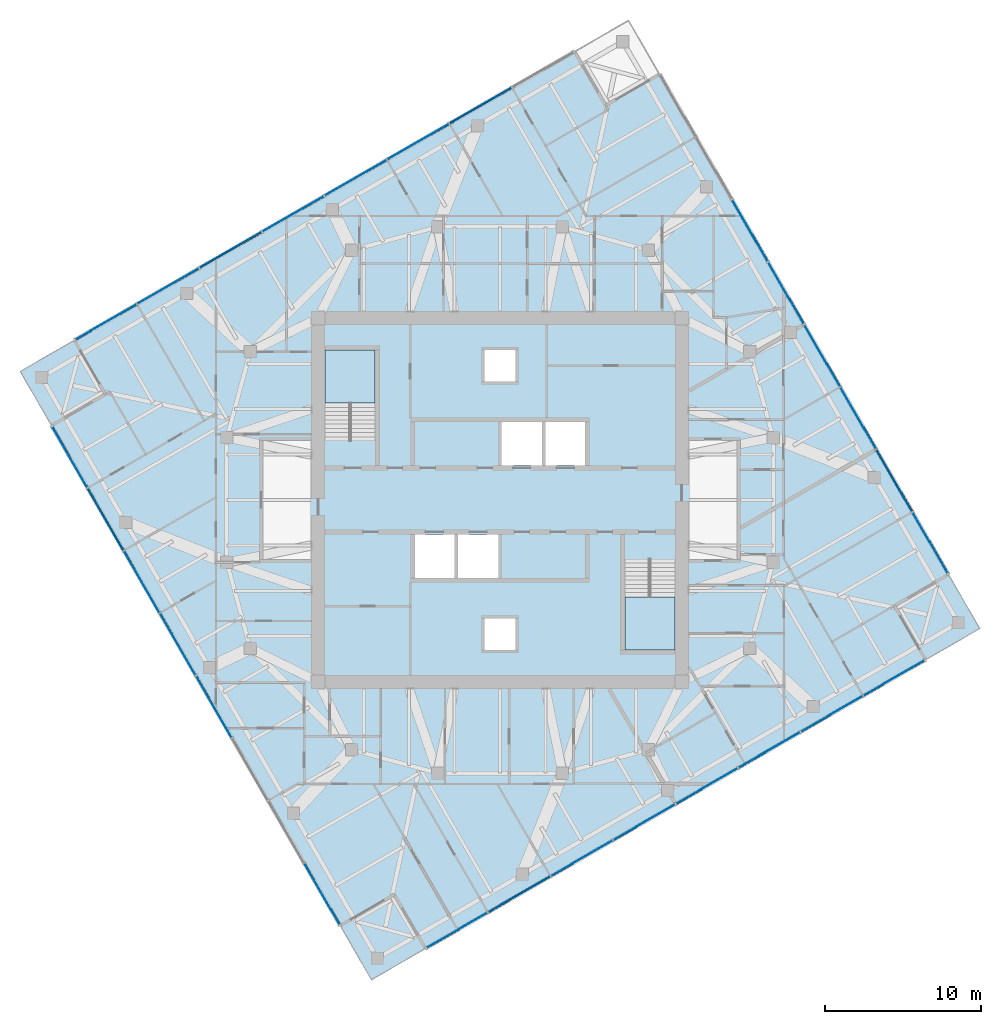
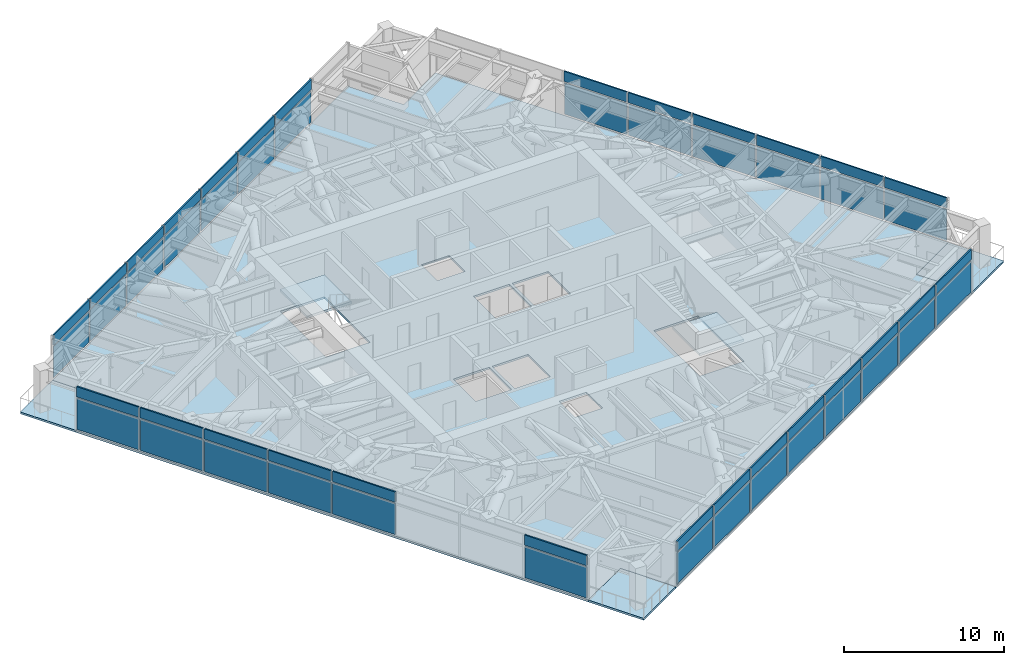
# One storey, part 8 of 16: 54 plates, 6 slabs, 6 elements without a shape of their own.
"""IFC4 building model written with IfcOpenShell, lengths in metres."""

from ifc_helpers import new_model, si_unit, direction, frame, origin, origin_2d, place, context, subcontext, project, spatial, polyline, rectangle, outline, extrude, material, layer, layer_set, type_object, element, aggregate, save


model = new_model("IFC4")

# Units and contexts
model_context = context("Model", 3, precision=1e-05, world=origin(), true_north=direction((0.0, 1.0)))
body_context = subcontext(model_context, "Body", "Model", "MODEL_VIEW")
ifc_project = project(units=[si_unit("LENGTHUNIT", "METRE"), si_unit("AREAUNIT", "SQUARE_METRE"), si_unit("VOLUMEUNIT", "CUBIC_METRE"), si_unit("PLANEANGLEUNIT", "RADIAN"), si_unit("MASSUNIT", "GRAM", prefix="KILO")], contexts=[model_context])

# Site, building, storey
site_placement = place(None, origin())
site = spatial("IfcSite", under=ifc_project, at=site_placement, CompositionType="ELEMENT")
building_placement = place(site_placement, origin())
building = spatial("IfcBuilding", under=site, at=building_placement, Name="Torsade Residences", CompositionType="ELEMENT")
storey_placement = place(building_placement, frame((0.0, 0.0, 232.0)))
storey = spatial("IfcBuildingStorey", under=building, at=storey_placement, Name="L64", CompositionType="ELEMENT", Elevation=232.0)

# Slab
ifc_material_1 = material(Name="Concrete 40 MPa", Category="concrete")
ifc_layer_1 = layer(ifc_material_1, 0.14990234375)
ifc_layer_set_1 = layer_set([ifc_layer_1], Name="Concrete 40 MPa")
slab_type_1 = type_object("IfcSlabType", Name="COMPOSITE FLOOR SLAB 150", PredefinedType="FLOOR", material=ifc_layer_set_1)
slab_1_placement = place(storey_placement, frame((0.0, 0.0, -0.14990234375)))
element("IfcSlab", 1, at=slab_1_placement, inside=storey, type_object=slab_type_1, Name="Floor slab L64", PredefinedType="FLOOR", context=body_context, shape_type="SweptSolid", body=[
    extrude(outline(polyline([(35.228515625, 1.264404296875), (67.271484375, 19.764404296875), (65.271484375, 23.228515625), (68.735595703125, 25.228515625), (50.235595703125, 57.271484375), (46.771484375, 55.271484375), (44.771484375, 58.735595703125), (12.728515625, 40.235595703125), (14.728515625, 36.771484375), (11.264404296875, 34.771484375), (29.764404296875, 2.728515625), (33.228515625, 4.728515625), (35.228515625, 1.264404296875)]), holes=[polyline([(51.199951171875, 26.1201171875), (48.0, 26.1201171875), (48.0, 20.39990234375), (51.199951171875, 20.39990234375), (51.199951171875, 26.1201171875)]), polyline([(45.5, 35.0), (42.89990234375, 35.0), (42.89990234375, 32.199951171875), (45.5, 32.199951171875), (45.5, 35.0)]), polyline([(42.699951171875, 35.0), (40.10009765625, 35.0), (40.10009765625, 32.199951171875), (42.699951171875, 32.199951171875), (42.699951171875, 35.0)]), polyline([(41.0, 22.39990234375), (39.0, 22.39990234375), (39.0, 20.39990234375), (41.0, 20.39990234375), (41.0, 22.39990234375)]), polyline([(41.0, 39.60009765625), (39.0, 39.60009765625), (39.0, 37.60009765625), (41.0, 37.60009765625), (41.0, 39.60009765625)]), polyline([(39.89990234375, 27.800048828125), (37.300048828125, 27.800048828125), (37.300048828125, 25.0), (39.89990234375, 25.0), (39.89990234375, 27.800048828125)]), polyline([(37.10009765625, 27.800048828125), (34.5, 27.800048828125), (34.5, 25.0), (37.10009765625, 25.0), (37.10009765625, 27.800048828125)]), polyline([(32.0, 39.60009765625), (28.800048828125, 39.60009765625), (28.800048828125, 33.8798828125), (32.0, 33.8798828125), (32.0, 39.60009765625)])]), origin(), (0.0, 0.0, 1.0), 0.14990234375),
])

# Curtain wall, plates
ifc_material_2 = material(Name="Aluminium and glass", Category="aluminium")
curtain_wall_type = type_object("IfcCurtainWallType", Name="FRITTED GLASS CURTAIN WALL HIGH ZONE", PredefinedType="NOTDEFINED", material=ifc_material_2)
curtain_wall_1_placement = place(storey_placement, origin())
curtain_wall_1 = element("IfcCurtainWall", 2, at=curtain_wall_1_placement, inside=storey, type_object=curtain_wall_type, Name="Curtain wall L64 face 1", PredefinedType="NOTDEFINED")
ifc_material_3 = material(Name="Laminated glass", Category="glass")
ifc_layer_2 = layer(ifc_material_3, 0.031982421875)
ifc_layer_set_2 = layer_set([ifc_layer_2], Name="Laminated glass")
plate_type_1 = type_object("IfcPlateType", Name="FRITTED GLASS PANEL", PredefinedType="CURTAIN_PANEL", material=ifc_layer_set_2)
plate_1_placement = place(storey_placement, frame((37.2529296875, 2.43310546875, 0.1201171875), z_axis=(0.0, 0.0, 1.0), x_axis=(0.866025404186, 0.499999999305, 0.0)))
plate_1 = element("IfcPlate", 3, at=plate_1_placement, type_object=plate_type_1, Name="Panel 1", PredefinedType="CURTAIN_PANEL", context=body_context, shape_type="SweptSolid", body=[
    extrude(rectangle(XDim=4.47509765625, YDim=0.031982421875, at=origin_2d()), origin(), (0.0, 0.0, 1.0), 2.3798828125),
])
plate_2_placement = place(storey_placement, frame((45.241943359375, 7.045654296875, 0.1201171875), z_axis=(0.0, 0.0, 1.0), x_axis=(0.866025404186, 0.499999999305, 0.0)))
plate_2 = element("IfcPlate", 4, at=plate_2_placement, type_object=plate_type_1, Name="Panel 3", PredefinedType="CURTAIN_PANEL", context=body_context, shape_type="SweptSolid", body=[
    extrude(rectangle(XDim=4.52490234375, YDim=0.031982421875, at=origin_2d()), origin(), (0.0, 0.0, 1.0), 2.3798828125),
])
plate_3_placement = place(storey_placement, frame((49.247314453125, 9.358154296875, 0.1201171875), z_axis=(0.0, 0.0, 1.0), x_axis=(0.866025404186, 0.499999999305, 0.0)))
plate_3 = element("IfcPlate", 5, at=plate_3_placement, type_object=plate_type_1, Name="Panel 4", PredefinedType="CURTAIN_PANEL", context=body_context, shape_type="SweptSolid", body=[
    extrude(rectangle(XDim=4.52490234375, YDim=0.031982421875, at=origin_2d()), origin(), (0.0, 0.0, 1.0), 2.3798828125),
])
plate_4_placement = place(storey_placement, frame((53.252685546875, 11.670654296875, 0.1201171875), z_axis=(0.0, 0.0, 1.0), x_axis=(0.866025404186, 0.499999999305, 0.0)))
plate_4 = element("IfcPlate", 6, at=plate_4_placement, type_object=plate_type_1, Name="Panel 5", PredefinedType="CURTAIN_PANEL", context=body_context, shape_type="SweptSolid", body=[
    extrude(rectangle(XDim=4.52490234375, YDim=0.031982421875, at=origin_2d()), origin(), (0.0, 0.0, 1.0), 2.3798828125),
])
plate_5_placement = place(storey_placement, frame((61.263427734375, 16.295654296875, 0.1201171875), z_axis=(0.0, 0.0, 1.0), x_axis=(0.866025404186, 0.499999999305, 0.0)))
plate_5 = element("IfcPlate", 7, at=plate_5_placement, type_object=plate_type_1, Name="Panel 7", PredefinedType="CURTAIN_PANEL", context=body_context, shape_type="SweptSolid", body=[
    extrude(rectangle(XDim=4.52490234375, YDim=0.031982421875, at=origin_2d()), origin(), (0.0, 0.0, 1.0), 2.3798828125),
])
plate_6_placement = place(storey_placement, frame((65.2470703125, 18.595703125, 0.1201171875), z_axis=(0.0, 0.0, 1.0), x_axis=(0.866025404186, 0.499999999305, 0.0)))
plate_6 = element("IfcPlate", 8, at=plate_6_placement, type_object=plate_type_1, Name="Panel 8", PredefinedType="CURTAIN_PANEL", context=body_context, shape_type="SweptSolid", body=[
    extrude(rectangle(XDim=4.47509765625, YDim=0.031982421875, at=origin_2d()), origin(), (0.0, 0.0, 1.0), 2.3798828125),
])

curtain_wall_2_placement = place(storey_placement, origin())
curtain_wall_2 = element("IfcCurtainWall", 9, at=curtain_wall_2_placement, inside=storey, type_object=curtain_wall_type, Name="Curtain wall L64 face 4", PredefinedType="NOTDEFINED")
plate_7_placement = place(storey_placement, frame((67.56689453125, 27.2529296875, 0.1201171875), z_axis=(0.0, 0.0, 1.0), x_axis=(-0.499999999305, 0.866025404186, 0.0)))
plate_7 = element("IfcPlate", 10, at=plate_7_placement, type_object=plate_type_1, Name="Panel 1", PredefinedType="CURTAIN_PANEL", context=body_context, shape_type="SweptSolid", body=[
    extrude(rectangle(XDim=4.47509765625, YDim=0.031982421875, at=origin_2d()), origin(), (0.0, 0.0, 1.0), 2.3798828125),
])
plate_8_placement = place(storey_placement, frame((62.954345703125, 35.241943359375, 0.1201171875), z_axis=(0.0, 0.0, 1.0), x_axis=(-0.499999999305, 0.866025404186, 0.0)))
plate_8 = element("IfcPlate", 11, at=plate_8_placement, type_object=plate_type_1, Name="Panel 3", PredefinedType="CURTAIN_PANEL", context=body_context, shape_type="SweptSolid", body=[
    extrude(rectangle(XDim=4.52490234375, YDim=0.031982421875, at=origin_2d()), origin(), (0.0, 0.0, 1.0), 2.3798828125),
])
plate_9_placement = place(storey_placement, frame((60.641845703125, 39.247314453125, 0.1201171875), z_axis=(0.0, 0.0, 1.0), x_axis=(-0.499999999305, 0.866025404186, 0.0)))
plate_9 = element("IfcPlate", 12, at=plate_9_placement, type_object=plate_type_1, Name="Panel 4", PredefinedType="CURTAIN_PANEL", context=body_context, shape_type="SweptSolid", body=[
    extrude(rectangle(XDim=4.52490234375, YDim=0.031982421875, at=origin_2d()), origin(), (0.0, 0.0, 1.0), 2.3798828125),
])
plate_10_placement = place(storey_placement, frame((58.329345703125, 43.252685546875, 0.1201171875), z_axis=(0.0, 0.0, 1.0), x_axis=(-0.499999999305, 0.866025404186, 0.0)))
plate_10 = element("IfcPlate", 13, at=plate_10_placement, type_object=plate_type_1, Name="Panel 5", PredefinedType="CURTAIN_PANEL", context=body_context, shape_type="SweptSolid", body=[
    extrude(rectangle(XDim=4.52490234375, YDim=0.031982421875, at=origin_2d()), origin(), (0.0, 0.0, 1.0), 2.3798828125),
])

curtain_wall_3_placement = place(storey_placement, origin())
curtain_wall_3 = element("IfcCurtainWall", 14, at=curtain_wall_3_placement, inside=storey, type_object=curtain_wall_type, Name="Curtain wall L64 face 7", PredefinedType="NOTDEFINED")
plate_11_placement = place(storey_placement, frame((34.758056640625, 52.954345703125, 0.1201171875), z_axis=(0.0, 0.0, 1.0), x_axis=(-0.866025404186, -0.499999999305, 0.0)))
plate_11 = element("IfcPlate", 15, at=plate_11_placement, type_object=plate_type_1, Name="Panel 3", PredefinedType="CURTAIN_PANEL", context=body_context, shape_type="SweptSolid", body=[
    extrude(rectangle(XDim=4.52490234375, YDim=0.031982421875, at=origin_2d()), origin(), (0.0, 0.0, 1.0), 2.3798828125),
])
plate_12_placement = place(storey_placement, frame((30.752685546875, 50.641845703125, 0.1201171875), z_axis=(0.0, 0.0, 1.0), x_axis=(-0.866025404186, -0.499999999305, 0.0)))
plate_12 = element("IfcPlate", 16, at=plate_12_placement, type_object=plate_type_1, Name="Panel 4", PredefinedType="CURTAIN_PANEL", context=body_context, shape_type="SweptSolid", body=[
    extrude(rectangle(XDim=4.52490234375, YDim=0.031982421875, at=origin_2d()), origin(), (0.0, 0.0, 1.0), 2.3798828125),
])
plate_13_placement = place(storey_placement, frame((26.747314453125, 48.329345703125, 0.1201171875), z_axis=(0.0, 0.0, 1.0), x_axis=(-0.866025404186, -0.499999999305, 0.0)))
plate_13 = element("IfcPlate", 17, at=plate_13_placement, type_object=plate_type_1, Name="Panel 5", PredefinedType="CURTAIN_PANEL", context=body_context, shape_type="SweptSolid", body=[
    extrude(rectangle(XDim=4.52490234375, YDim=0.031982421875, at=origin_2d()), origin(), (0.0, 0.0, 1.0), 2.3798828125),
])
plate_14_placement = place(storey_placement, frame((18.736572265625, 43.704345703125, 0.1201171875), z_axis=(0.0, 0.0, 1.0), x_axis=(-0.866025404186, -0.499999999305, 0.0)))
plate_14 = element("IfcPlate", 18, at=plate_14_placement, type_object=plate_type_1, Name="Panel 7", PredefinedType="CURTAIN_PANEL", context=body_context, shape_type="SweptSolid", body=[
    extrude(rectangle(XDim=4.52490234375, YDim=0.031982421875, at=origin_2d()), origin(), (0.0, 0.0, 1.0), 2.3798828125),
])
plate_15_placement = place(storey_placement, frame((14.7529296875, 41.404296875, 0.1201171875), z_axis=(0.0, 0.0, 1.0), x_axis=(-0.866025404186, -0.499999999305, 0.0)))
plate_15 = element("IfcPlate", 19, at=plate_15_placement, type_object=plate_type_1, Name="Panel 8", PredefinedType="CURTAIN_PANEL", context=body_context, shape_type="SweptSolid", body=[
    extrude(rectangle(XDim=4.47509765625, YDim=0.031982421875, at=origin_2d()), origin(), (0.0, 0.0, 1.0), 2.3798828125),
])

curtain_wall_4_placement = place(storey_placement, origin())
curtain_wall_4 = element("IfcCurtainWall", 20, at=curtain_wall_4_placement, inside=storey, type_object=curtain_wall_type, Name="Curtain wall L64 face 10", PredefinedType="NOTDEFINED")
plate_16_placement = place(storey_placement, frame((12.43310546875, 32.7470703125, 0.1201171875), z_axis=(0.0, 0.0, 1.0), x_axis=(0.499999999305, -0.866025404186, 0.0)))
plate_16 = element("IfcPlate", 21, at=plate_16_placement, type_object=plate_type_1, Name="Panel 1", PredefinedType="CURTAIN_PANEL", context=body_context, shape_type="SweptSolid", body=[
    extrude(rectangle(XDim=4.47509765625, YDim=0.031982421875, at=origin_2d()), origin(), (0.0, 0.0, 1.0), 2.3798828125),
])
plate_17_placement = place(storey_placement, frame((17.045654296875, 24.758056640625, 0.1201171875), z_axis=(0.0, 0.0, 1.0), x_axis=(0.499999999305, -0.866025404186, 0.0)))
plate_17 = element("IfcPlate", 22, at=plate_17_placement, type_object=plate_type_1, Name="Panel 3", PredefinedType="CURTAIN_PANEL", context=body_context, shape_type="SweptSolid", body=[
    extrude(rectangle(XDim=4.52490234375, YDim=0.031982421875, at=origin_2d()), origin(), (0.0, 0.0, 1.0), 2.3798828125),
])
plate_18_placement = place(storey_placement, frame((19.358154296875, 20.752685546875, 0.1201171875), z_axis=(0.0, 0.0, 1.0), x_axis=(0.499999999305, -0.866025404186, 0.0)))
plate_18 = element("IfcPlate", 23, at=plate_18_placement, type_object=plate_type_1, Name="Panel 4", PredefinedType="CURTAIN_PANEL", context=body_context, shape_type="SweptSolid", body=[
    extrude(rectangle(XDim=4.52490234375, YDim=0.031982421875, at=origin_2d()), origin(), (0.0, 0.0, 1.0), 2.3798828125),
])
plate_19_placement = place(storey_placement, frame((21.670654296875, 16.747314453125, 0.1201171875), z_axis=(0.0, 0.0, 1.0), x_axis=(0.499999999305, -0.866025404186, 0.0)))
plate_19 = element("IfcPlate", 24, at=plate_19_placement, type_object=plate_type_1, Name="Panel 5", PredefinedType="CURTAIN_PANEL", context=body_context, shape_type="SweptSolid", body=[
    extrude(rectangle(XDim=4.52490234375, YDim=0.031982421875, at=origin_2d()), origin(), (0.0, 0.0, 1.0), 2.3798828125),
])
plate_20_placement = place(storey_placement, frame((28.595703125, 4.7529296875, 0.1201171875), z_axis=(0.0, 0.0, 1.0), x_axis=(0.499999999305, -0.866025404186, 0.0)))
plate_20 = element("IfcPlate", 25, at=plate_20_placement, type_object=plate_type_1, Name="Panel 8", PredefinedType="CURTAIN_PANEL", context=body_context, shape_type="SweptSolid", body=[
    extrude(rectangle(XDim=4.47509765625, YDim=0.031982421875, at=origin_2d()), origin(), (0.0, 0.0, 1.0), 2.3798828125),
])

# Plate
ifc_material_4 = material(Name="Aluminium composite spandrel panel", Category="aluminium")
ifc_layer_3 = layer(ifc_material_4, 0.10009765625)
ifc_layer_set_3 = layer_set([ifc_layer_3], Name="Aluminium composite spandrel panel")
plate_type_2 = type_object("IfcPlateType", Name="OPAQUE SPANDREL PANEL", PredefinedType="CURTAIN_PANEL", material=ifc_layer_set_3)
plate_21_placement = place(storey_placement, frame((37.2529296875, 2.43310546875, 2.6201171875), z_axis=(0.0, 0.0, 1.0), x_axis=(0.866025404186, 0.499999999305, 0.0)))
plate_21 = element("IfcPlate", 26, at=plate_21_placement, type_object=plate_type_2, Name="Spandrel panel 1", PredefinedType="CURTAIN_PANEL", context=body_context, shape_type="SweptSolid", body=[
    extrude(rectangle(XDim=4.47509765625, YDim=0.10009765625, at=origin_2d()), origin(), (0.0, 0.0, 1.0), 0.780029296875),
])

plate_22_placement = place(storey_placement, frame((41.236572265625, 4.733154296875, 2.6201171875), z_axis=(0.0, 0.0, 1.0), x_axis=(0.866025404186, 0.499999999305, 0.0)))
plate_22 = element("IfcPlate", 27, at=plate_22_placement, type_object=plate_type_2, Name="Spandrel panel 2", PredefinedType="CURTAIN_PANEL", context=body_context, shape_type="SweptSolid", body=[
    extrude(rectangle(XDim=4.52490234375, YDim=0.10009765625, at=origin_2d()), origin(), (0.0, 0.0, 1.0), 0.780029296875),
])

plate_23_placement = place(storey_placement, frame((45.241943359375, 7.045654296875, 2.6201171875), z_axis=(0.0, 0.0, 1.0), x_axis=(0.866025404186, 0.499999999305, 0.0)))
plate_23 = element("IfcPlate", 28, at=plate_23_placement, type_object=plate_type_2, Name="Spandrel panel 3", PredefinedType="CURTAIN_PANEL", context=body_context, shape_type="SweptSolid", body=[
    extrude(rectangle(XDim=4.52490234375, YDim=0.10009765625, at=origin_2d()), origin(), (0.0, 0.0, 1.0), 0.780029296875),
])

plate_24_placement = place(storey_placement, frame((49.247314453125, 9.358154296875, 2.6201171875), z_axis=(0.0, 0.0, 1.0), x_axis=(0.866025404186, 0.499999999305, 0.0)))
plate_24 = element("IfcPlate", 29, at=plate_24_placement, type_object=plate_type_2, Name="Spandrel panel 4", PredefinedType="CURTAIN_PANEL", context=body_context, shape_type="SweptSolid", body=[
    extrude(rectangle(XDim=4.52490234375, YDim=0.10009765625, at=origin_2d()), origin(), (0.0, 0.0, 1.0), 0.780029296875),
])

plate_25_placement = place(storey_placement, frame((53.252685546875, 11.670654296875, 2.6201171875), z_axis=(0.0, 0.0, 1.0), x_axis=(0.866025404186, 0.499999999305, 0.0)))
plate_25 = element("IfcPlate", 30, at=plate_25_placement, type_object=plate_type_2, Name="Spandrel panel 5", PredefinedType="CURTAIN_PANEL", context=body_context, shape_type="SweptSolid", body=[
    extrude(rectangle(XDim=4.52490234375, YDim=0.10009765625, at=origin_2d()), origin(), (0.0, 0.0, 1.0), 0.780029296875),
])

plate_26_placement = place(storey_placement, frame((57.258056640625, 13.983154296875, 2.6201171875), z_axis=(0.0, 0.0, 1.0), x_axis=(0.866025404186, 0.499999999305, 0.0)))
plate_26 = element("IfcPlate", 31, at=plate_26_placement, type_object=plate_type_2, Name="Spandrel panel 6", PredefinedType="CURTAIN_PANEL", context=body_context, shape_type="SweptSolid", body=[
    extrude(rectangle(XDim=4.52490234375, YDim=0.10009765625, at=origin_2d()), origin(), (0.0, 0.0, 1.0), 0.780029296875),
])

plate_27_placement = place(storey_placement, frame((61.263427734375, 16.295654296875, 2.6201171875), z_axis=(0.0, 0.0, 1.0), x_axis=(0.866025404186, 0.499999999305, 0.0)))
plate_27 = element("IfcPlate", 32, at=plate_27_placement, type_object=plate_type_2, Name="Spandrel panel 7", PredefinedType="CURTAIN_PANEL", context=body_context, shape_type="SweptSolid", body=[
    extrude(rectangle(XDim=4.52490234375, YDim=0.10009765625, at=origin_2d()), origin(), (0.0, 0.0, 1.0), 0.780029296875),
])

plate_28_placement = place(storey_placement, frame((65.2470703125, 18.595703125, 2.6201171875), z_axis=(0.0, 0.0, 1.0), x_axis=(0.866025404186, 0.499999999305, 0.0)))
plate_28 = element("IfcPlate", 33, at=plate_28_placement, type_object=plate_type_2, Name="Spandrel panel 8", PredefinedType="CURTAIN_PANEL", context=body_context, shape_type="SweptSolid", body=[
    extrude(rectangle(XDim=4.47509765625, YDim=0.10009765625, at=origin_2d()), origin(), (0.0, 0.0, 1.0), 0.780029296875),
])

plate_29_placement = place(storey_placement, frame((67.56689453125, 27.2529296875, 2.6201171875), z_axis=(0.0, 0.0, 1.0), x_axis=(-0.499999999305, 0.866025404186, 0.0)))
plate_29 = element("IfcPlate", 34, at=plate_29_placement, type_object=plate_type_2, Name="Spandrel panel 1", PredefinedType="CURTAIN_PANEL", context=body_context, shape_type="SweptSolid", body=[
    extrude(rectangle(XDim=4.47509765625, YDim=0.10009765625, at=origin_2d()), origin(), (0.0, 0.0, 1.0), 0.780029296875),
])

plate_30_placement = place(storey_placement, frame((65.266845703125, 31.236572265625, 2.6201171875), z_axis=(0.0, 0.0, 1.0), x_axis=(-0.499999999305, 0.866025404186, 0.0)))
plate_30 = element("IfcPlate", 35, at=plate_30_placement, type_object=plate_type_2, Name="Spandrel panel 2", PredefinedType="CURTAIN_PANEL", context=body_context, shape_type="SweptSolid", body=[
    extrude(rectangle(XDim=4.52490234375, YDim=0.10009765625, at=origin_2d()), origin(), (0.0, 0.0, 1.0), 0.780029296875),
])

plate_31_placement = place(storey_placement, frame((62.954345703125, 35.241943359375, 2.6201171875), z_axis=(0.0, 0.0, 1.0), x_axis=(-0.499999999305, 0.866025404186, 0.0)))
plate_31 = element("IfcPlate", 36, at=plate_31_placement, type_object=plate_type_2, Name="Spandrel panel 3", PredefinedType="CURTAIN_PANEL", context=body_context, shape_type="SweptSolid", body=[
    extrude(rectangle(XDim=4.52490234375, YDim=0.10009765625, at=origin_2d()), origin(), (0.0, 0.0, 1.0), 0.780029296875),
])

plate_32_placement = place(storey_placement, frame((60.641845703125, 39.247314453125, 2.6201171875), z_axis=(0.0, 0.0, 1.0), x_axis=(-0.499999999305, 0.866025404186, 0.0)))
plate_32 = element("IfcPlate", 37, at=plate_32_placement, type_object=plate_type_2, Name="Spandrel panel 4", PredefinedType="CURTAIN_PANEL", context=body_context, shape_type="SweptSolid", body=[
    extrude(rectangle(XDim=4.52490234375, YDim=0.10009765625, at=origin_2d()), origin(), (0.0, 0.0, 1.0), 0.780029296875),
])

plate_33_placement = place(storey_placement, frame((58.329345703125, 43.252685546875, 2.6201171875), z_axis=(0.0, 0.0, 1.0), x_axis=(-0.499999999305, 0.866025404186, 0.0)))
plate_33 = element("IfcPlate", 38, at=plate_33_placement, type_object=plate_type_2, Name="Spandrel panel 5", PredefinedType="CURTAIN_PANEL", context=body_context, shape_type="SweptSolid", body=[
    extrude(rectangle(XDim=4.52490234375, YDim=0.10009765625, at=origin_2d()), origin(), (0.0, 0.0, 1.0), 0.780029296875),
])

plate_34_placement = place(storey_placement, frame((56.016845703125, 47.258056640625, 2.6201171875), z_axis=(0.0, 0.0, 1.0), x_axis=(-0.499999999305, 0.866025404186, 0.0)))
plate_34 = element("IfcPlate", 39, at=plate_34_placement, type_object=plate_type_2, Name="Spandrel panel 6", PredefinedType="CURTAIN_PANEL", context=body_context, shape_type="SweptSolid", body=[
    extrude(rectangle(XDim=4.52490234375, YDim=0.10009765625, at=origin_2d()), origin(), (0.0, 0.0, 1.0), 0.780029296875),
])

plate_35_placement = place(storey_placement, frame((38.763427734375, 55.266845703125, 2.6201171875), z_axis=(0.0, 0.0, 1.0), x_axis=(-0.866025404186, -0.499999999305, 0.0)))
plate_35 = element("IfcPlate", 40, at=plate_35_placement, type_object=plate_type_2, Name="Spandrel panel 2", PredefinedType="CURTAIN_PANEL", context=body_context, shape_type="SweptSolid", body=[
    extrude(rectangle(XDim=4.52490234375, YDim=0.10009765625, at=origin_2d()), origin(), (0.0, 0.0, 1.0), 0.780029296875),
])

plate_36_placement = place(storey_placement, frame((34.758056640625, 52.954345703125, 2.6201171875), z_axis=(0.0, 0.0, 1.0), x_axis=(-0.866025404186, -0.499999999305, 0.0)))
plate_36 = element("IfcPlate", 41, at=plate_36_placement, type_object=plate_type_2, Name="Spandrel panel 3", PredefinedType="CURTAIN_PANEL", context=body_context, shape_type="SweptSolid", body=[
    extrude(rectangle(XDim=4.52490234375, YDim=0.10009765625, at=origin_2d()), origin(), (0.0, 0.0, 1.0), 0.780029296875),
])

plate_37_placement = place(storey_placement, frame((30.752685546875, 50.641845703125, 2.6201171875), z_axis=(0.0, 0.0, 1.0), x_axis=(-0.866025404186, -0.499999999305, 0.0)))
plate_37 = element("IfcPlate", 42, at=plate_37_placement, type_object=plate_type_2, Name="Spandrel panel 4", PredefinedType="CURTAIN_PANEL", context=body_context, shape_type="SweptSolid", body=[
    extrude(rectangle(XDim=4.52490234375, YDim=0.10009765625, at=origin_2d()), origin(), (0.0, 0.0, 1.0), 0.780029296875),
])

plate_38_placement = place(storey_placement, frame((26.747314453125, 48.329345703125, 2.6201171875), z_axis=(0.0, 0.0, 1.0), x_axis=(-0.866025404186, -0.499999999305, 0.0)))
plate_38 = element("IfcPlate", 43, at=plate_38_placement, type_object=plate_type_2, Name="Spandrel panel 5", PredefinedType="CURTAIN_PANEL", context=body_context, shape_type="SweptSolid", body=[
    extrude(rectangle(XDim=4.52490234375, YDim=0.10009765625, at=origin_2d()), origin(), (0.0, 0.0, 1.0), 0.780029296875),
])

plate_39_placement = place(storey_placement, frame((22.741943359375, 46.016845703125, 2.6201171875), z_axis=(0.0, 0.0, 1.0), x_axis=(-0.866025404186, -0.499999999305, 0.0)))
plate_39 = element("IfcPlate", 44, at=plate_39_placement, type_object=plate_type_2, Name="Spandrel panel 6", PredefinedType="CURTAIN_PANEL", context=body_context, shape_type="SweptSolid", body=[
    extrude(rectangle(XDim=4.52490234375, YDim=0.10009765625, at=origin_2d()), origin(), (0.0, 0.0, 1.0), 0.780029296875),
])

plate_40_placement = place(storey_placement, frame((18.736572265625, 43.704345703125, 2.6201171875), z_axis=(0.0, 0.0, 1.0), x_axis=(-0.866025404186, -0.499999999305, 0.0)))
plate_40 = element("IfcPlate", 45, at=plate_40_placement, type_object=plate_type_2, Name="Spandrel panel 7", PredefinedType="CURTAIN_PANEL", context=body_context, shape_type="SweptSolid", body=[
    extrude(rectangle(XDim=4.52490234375, YDim=0.10009765625, at=origin_2d()), origin(), (0.0, 0.0, 1.0), 0.780029296875),
])

plate_41_placement = place(storey_placement, frame((14.7529296875, 41.404296875, 2.6201171875), z_axis=(0.0, 0.0, 1.0), x_axis=(-0.866025404186, -0.499999999305, 0.0)))
plate_41 = element("IfcPlate", 46, at=plate_41_placement, type_object=plate_type_2, Name="Spandrel panel 8", PredefinedType="CURTAIN_PANEL", context=body_context, shape_type="SweptSolid", body=[
    extrude(rectangle(XDim=4.47509765625, YDim=0.10009765625, at=origin_2d()), origin(), (0.0, 0.0, 1.0), 0.780029296875),
])

plate_42_placement = place(storey_placement, frame((12.43310546875, 32.7470703125, 2.6201171875), z_axis=(0.0, 0.0, 1.0), x_axis=(0.499999999305, -0.866025404186, 0.0)))
plate_42 = element("IfcPlate", 47, at=plate_42_placement, type_object=plate_type_2, Name="Spandrel panel 1", PredefinedType="CURTAIN_PANEL", context=body_context, shape_type="SweptSolid", body=[
    extrude(rectangle(XDim=4.47509765625, YDim=0.10009765625, at=origin_2d()), origin(), (0.0, 0.0, 1.0), 0.780029296875),
])

plate_43_placement = place(storey_placement, frame((14.733154296875, 28.763427734375, 2.6201171875), z_axis=(0.0, 0.0, 1.0), x_axis=(0.499999999305, -0.866025404186, 0.0)))
plate_43 = element("IfcPlate", 48, at=plate_43_placement, type_object=plate_type_2, Name="Spandrel panel 2", PredefinedType="CURTAIN_PANEL", context=body_context, shape_type="SweptSolid", body=[
    extrude(rectangle(XDim=4.52490234375, YDim=0.10009765625, at=origin_2d()), origin(), (0.0, 0.0, 1.0), 0.780029296875),
])

plate_44_placement = place(storey_placement, frame((17.045654296875, 24.758056640625, 2.6201171875), z_axis=(0.0, 0.0, 1.0), x_axis=(0.499999999305, -0.866025404186, 0.0)))
plate_44 = element("IfcPlate", 49, at=plate_44_placement, type_object=plate_type_2, Name="Spandrel panel 3", PredefinedType="CURTAIN_PANEL", context=body_context, shape_type="SweptSolid", body=[
    extrude(rectangle(XDim=4.52490234375, YDim=0.10009765625, at=origin_2d()), origin(), (0.0, 0.0, 1.0), 0.780029296875),
])

plate_45_placement = place(storey_placement, frame((19.358154296875, 20.752685546875, 2.6201171875), z_axis=(0.0, 0.0, 1.0), x_axis=(0.499999999305, -0.866025404186, 0.0)))
plate_45 = element("IfcPlate", 50, at=plate_45_placement, type_object=plate_type_2, Name="Spandrel panel 4", PredefinedType="CURTAIN_PANEL", context=body_context, shape_type="SweptSolid", body=[
    extrude(rectangle(XDim=4.52490234375, YDim=0.10009765625, at=origin_2d()), origin(), (0.0, 0.0, 1.0), 0.780029296875),
])

plate_46_placement = place(storey_placement, frame((21.670654296875, 16.747314453125, 2.6201171875), z_axis=(0.0, 0.0, 1.0), x_axis=(0.499999999305, -0.866025404186, 0.0)))
plate_46 = element("IfcPlate", 51, at=plate_46_placement, type_object=plate_type_2, Name="Spandrel panel 5", PredefinedType="CURTAIN_PANEL", context=body_context, shape_type="SweptSolid", body=[
    extrude(rectangle(XDim=4.52490234375, YDim=0.10009765625, at=origin_2d()), origin(), (0.0, 0.0, 1.0), 0.780029296875),
])

plate_47_placement = place(storey_placement, frame((28.595703125, 4.7529296875, 2.6201171875), z_axis=(0.0, 0.0, 1.0), x_axis=(0.499999999305, -0.866025404186, 0.0)))
plate_47 = element("IfcPlate", 52, at=plate_47_placement, type_object=plate_type_2, Name="Spandrel panel 8", PredefinedType="CURTAIN_PANEL", context=body_context, shape_type="SweptSolid", body=[
    extrude(rectangle(XDim=4.47509765625, YDim=0.10009765625, at=origin_2d()), origin(), (0.0, 0.0, 1.0), 0.780029296875),
])

ifc_material_5 = material(Name="Laminated glass", Category="glass")
ifc_layer_4 = layer(ifc_material_5, 0.0400390625)
ifc_layer_set_4 = layer_set([ifc_layer_4], Name="Laminated glass")
plate_type_3 = type_object("IfcPlateType", Name="OPERABLE VENT PANEL", PredefinedType="CURTAIN_PANEL", material=ifc_layer_set_4)
plate_48_placement = place(storey_placement, frame((41.236572265625, 4.733154296875, 0.1201171875), z_axis=(0.0, 0.0, 1.0), x_axis=(0.866025404186, 0.499999999305, 0.0)))
plate_48 = element("IfcPlate", 53, at=plate_48_placement, type_object=plate_type_3, Name="Panel 2", PredefinedType="CURTAIN_PANEL", context=body_context, shape_type="SweptSolid", body=[
    extrude(rectangle(XDim=4.52490234375, YDim=0.0400390625, at=origin_2d()), origin(), (0.0, 0.0, 1.0), 2.3798828125),
])

plate_49_placement = place(storey_placement, frame((57.258056640625, 13.983154296875, 0.1201171875), z_axis=(0.0, 0.0, 1.0), x_axis=(0.866025404186, 0.499999999305, 0.0)))
plate_49 = element("IfcPlate", 54, at=plate_49_placement, type_object=plate_type_3, Name="Panel 6", PredefinedType="CURTAIN_PANEL", context=body_context, shape_type="SweptSolid", body=[
    extrude(rectangle(XDim=4.52490234375, YDim=0.0400390625, at=origin_2d()), origin(), (0.0, 0.0, 1.0), 2.3798828125),
])

aggregate(curtain_wall_1, [plate_1, plate_21, plate_48, plate_22, plate_2, plate_23, plate_3, plate_24, plate_4, plate_25, plate_49, plate_26, plate_5, plate_27, plate_6, plate_28])

plate_50_placement = place(storey_placement, frame((65.266845703125, 31.236572265625, 0.1201171875), z_axis=(0.0, 0.0, 1.0), x_axis=(-0.499999999305, 0.866025404186, 0.0)))
plate_50 = element("IfcPlate", 55, at=plate_50_placement, type_object=plate_type_3, Name="Panel 2", PredefinedType="CURTAIN_PANEL", context=body_context, shape_type="SweptSolid", body=[
    extrude(rectangle(XDim=4.52490234375, YDim=0.0400390625, at=origin_2d()), origin(), (0.0, 0.0, 1.0), 2.3798828125),
])

plate_51_placement = place(storey_placement, frame((56.016845703125, 47.258056640625, 0.1201171875), z_axis=(0.0, 0.0, 1.0), x_axis=(-0.499999999305, 0.866025404186, 0.0)))
plate_51 = element("IfcPlate", 56, at=plate_51_placement, type_object=plate_type_3, Name="Panel 6", PredefinedType="CURTAIN_PANEL", context=body_context, shape_type="SweptSolid", body=[
    extrude(rectangle(XDim=4.52490234375, YDim=0.0400390625, at=origin_2d()), origin(), (0.0, 0.0, 1.0), 2.3798828125),
])

aggregate(curtain_wall_2, [plate_7, plate_29, plate_50, plate_30, plate_8, plate_31, plate_9, plate_32, plate_10, plate_33, plate_51, plate_34])

plate_52_placement = place(storey_placement, frame((38.763427734375, 55.266845703125, 0.1201171875), z_axis=(0.0, 0.0, 1.0), x_axis=(-0.866025404186, -0.499999999305, 0.0)))
plate_52 = element("IfcPlate", 57, at=plate_52_placement, type_object=plate_type_3, Name="Panel 2", PredefinedType="CURTAIN_PANEL", context=body_context, shape_type="SweptSolid", body=[
    extrude(rectangle(XDim=4.52490234375, YDim=0.0400390625, at=origin_2d()), origin(), (0.0, 0.0, 1.0), 2.3798828125),
])

plate_53_placement = place(storey_placement, frame((22.741943359375, 46.016845703125, 0.1201171875), z_axis=(0.0, 0.0, 1.0), x_axis=(-0.866025404186, -0.499999999305, 0.0)))
plate_53 = element("IfcPlate", 58, at=plate_53_placement, type_object=plate_type_3, Name="Panel 6", PredefinedType="CURTAIN_PANEL", context=body_context, shape_type="SweptSolid", body=[
    extrude(rectangle(XDim=4.52490234375, YDim=0.0400390625, at=origin_2d()), origin(), (0.0, 0.0, 1.0), 2.3798828125),
])

aggregate(curtain_wall_3, [plate_52, plate_35, plate_11, plate_36, plate_12, plate_37, plate_13, plate_38, plate_53, plate_39, plate_14, plate_40, plate_15, plate_41])

plate_54_placement = place(storey_placement, frame((14.733154296875, 28.763427734375, 0.1201171875), z_axis=(0.0, 0.0, 1.0), x_axis=(0.499999999305, -0.866025404186, 0.0)))
plate_54 = element("IfcPlate", 59, at=plate_54_placement, type_object=plate_type_3, Name="Panel 2", PredefinedType="CURTAIN_PANEL", context=body_context, shape_type="SweptSolid", body=[
    extrude(rectangle(XDim=4.52490234375, YDim=0.0400390625, at=origin_2d()), origin(), (0.0, 0.0, 1.0), 2.3798828125),
])

aggregate(curtain_wall_4, [plate_16, plate_42, plate_54, plate_43, plate_17, plate_44, plate_18, plate_45, plate_19, plate_46, plate_20, plate_47])

# Stair, slab
ifc_material_6 = material(Name="Precast concrete 40 MPa", Category="concrete")
stair_type = type_object("IfcStairType", Name="HALF-TURN FIRE STAIR 1500x3400", PredefinedType="HALF_TURN_STAIR", material=ifc_material_6)
stair_1_placement = place(storey_placement, origin())
stair_1 = element("IfcStair", 60, at=stair_1_placement, inside=storey, type_object=stair_type, Name="Stair ST1 L64", PredefinedType="HALF_TURN_STAIR")
ifc_material_7 = material(Name="Precast concrete 40 MPa", Category="concrete")
ifc_layer_5 = layer(ifc_material_7, 0.179931640625)
ifc_layer_set_5 = layer_set([ifc_layer_5], Name="Precast concrete 40 MPa")
slab_type_2 = type_object("IfcSlabType", Name="PRECAST STAIR LANDING 180", PredefinedType="LANDING", material=ifc_layer_set_5)
slab_2_placement = place(storey_placement, frame((0.0, 0.0, 1.52001953125)))
slab_2 = element("IfcSlab", 61, at=slab_2_placement, type_object=slab_type_2, Name="ST1 landing 1", PredefinedType="LANDING", context=body_context, shape_type="SweptSolid", body=[
    extrude(outline(polyline([(28.800048828125, 36.2099609375), (32.0, 36.2099609375), (32.0, 39.60009765625), (28.800048828125, 39.60009765625), (28.800048828125, 36.2099609375)])), origin(), (0.0, 0.0, 1.0), 0.179931640625),
])
aggregate(stair_1, [slab_2])

stair_2_placement = place(storey_placement, origin())
stair_2 = element("IfcStair", 62, at=stair_2_placement, inside=storey, type_object=stair_type, Name="Stair ST2 L64", PredefinedType="HALF_TURN_STAIR")
slab_3_placement = place(storey_placement, frame((0.0, 0.0, 1.52001953125)))
slab_3 = element("IfcSlab", 63, at=slab_3_placement, type_object=slab_type_2, Name="ST2 landing 1", PredefinedType="LANDING", context=body_context, shape_type="SweptSolid", body=[
    extrude(outline(polyline([(48.0, 20.39990234375), (51.199951171875, 20.39990234375), (51.199951171875, 23.7900390625), (48.0, 23.7900390625), (48.0, 20.39990234375)])), origin(), (0.0, 0.0, 1.0), 0.179931640625),
])
aggregate(stair_2, [slab_3])

# Slabs
ifc_material_8 = material(Name="Concrete 40 MPa", Category="concrete")
ifc_layer_6 = layer(ifc_material_8, 0.14990234375)
ifc_layer_set_6 = layer_set([ifc_layer_6], Name="Concrete 40 MPa")
slab_type_3 = type_object("IfcSlabType", Name="TERRACE SLAB 150", PredefinedType="FLOOR", material=ifc_layer_set_6)
slab_4_placement = place(storey_placement, frame((0.0, 0.0, -0.14990234375)))
element("IfcSlab", 64, at=slab_4_placement, inside=storey, type_object=slab_type_3, Name="Corner terrace slab SE L64", PredefinedType="FLOOR", context=body_context, shape_type="SweptSolid", body=[
    extrude(outline(polyline([(67.271484375, 19.764404296875), (70.735595703125, 21.764404296875), (68.735595703125, 25.228515625), (65.271484375, 23.228515625), (67.271484375, 19.764404296875)])), origin(), (0.0, 0.0, 1.0), 0.14990234375),
])
slab_5_placement = place(storey_placement, frame((0.0, 0.0, -0.14990234375)))
element("IfcSlab", 65, at=slab_5_placement, inside=storey, type_object=slab_type_3, Name="Corner terrace slab NW L64", PredefinedType="FLOOR", context=body_context, shape_type="SweptSolid", body=[
    extrude(outline(polyline([(11.264404296875, 34.771484375), (14.728515625, 36.771484375), (12.728515625, 40.235595703125), (9.264404296875, 38.235595703125), (11.264404296875, 34.771484375)])), origin(), (0.0, 0.0, 1.0), 0.14990234375),
])
slab_6_placement = place(storey_placement, frame((0.0, 0.0, -0.14990234375)))
element("IfcSlab", 66, at=slab_6_placement, inside=storey, type_object=slab_type_3, Name="Corner terrace slab SW L64", PredefinedType="FLOOR", context=body_context, shape_type="SweptSolid", body=[
    extrude(outline(polyline([(31.764404296875, -0.735595703125), (35.228515625, 1.264404296875), (33.228515625, 4.728515625), (29.764404296875, 2.728515625), (31.764404296875, -0.735595703125)])), origin(), (0.0, 0.0, 1.0), 0.14990234375),
])

save(model, "model.ifc")
